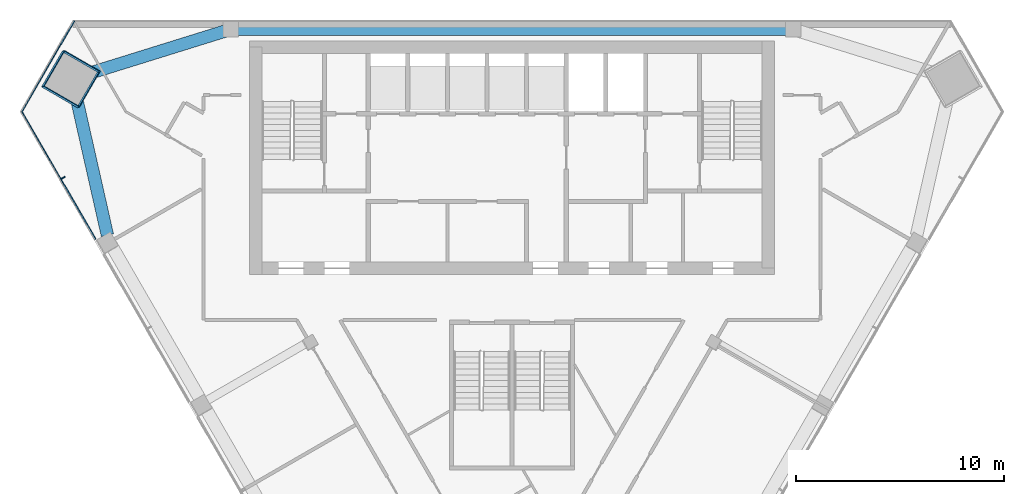
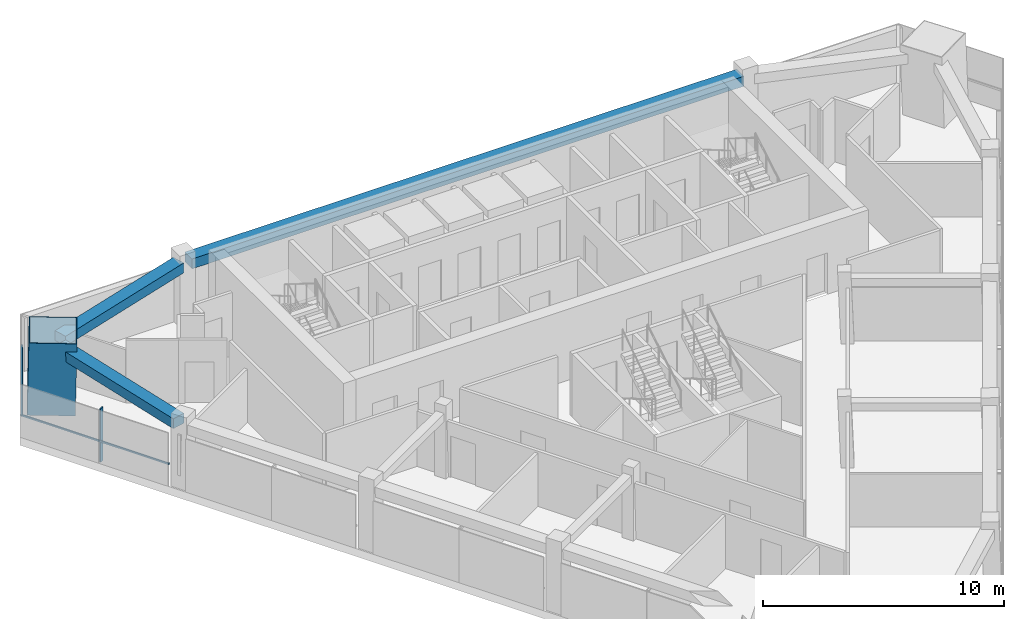
# One storey, part 5 of 12: 4 members, 3 beams, 2 elements without a shape of their own.
"""IFC4 building model written with IfcOpenShell, lengths in metres."""

from ifc_helpers import new_model, si_unit, direction, frame, origin, origin_2d, place, context, subcontext, project, spatial, rectangle, hollow_rectangle, extrude, material, layer, layer_set, material_profile, profile_set, type_object, element, aggregate, save


model = new_model("IFC4")

# Units and contexts
model_context = context("Model", 3, precision=1e-05, world=origin(), true_north=direction((0.0, 1.0)))
body_context = subcontext(model_context, "Body", "Model", "MODEL_VIEW")
ifc_project = project(units=[si_unit("LENGTHUNIT", "METRE"), si_unit("AREAUNIT", "SQUARE_METRE"), si_unit("VOLUMEUNIT", "CUBIC_METRE"), si_unit("PLANEANGLEUNIT", "RADIAN"), si_unit("MASSUNIT", "GRAM", prefix="KILO")], contexts=[model_context])

# Site, building, storey
site_placement = place(None, origin())
site = spatial("IfcSite", under=ifc_project, at=site_placement, CompositionType="ELEMENT")
building_placement = place(site_placement, origin())
building = spatial("IfcBuilding", under=site, at=building_placement, Name="Altiplano Prism Tower", CompositionType="ELEMENT")
storey_placement = place(building_placement, frame((0.0, 0.0, 257.199951171875)))
storey = spatial("IfcBuildingStorey", under=building, at=storey_placement, Name="L66", CompositionType="ELEMENT", Elevation=257.199951171875)

# Curtain wall, member
ifc_material_1 = material(Name="Aluminium and glass", Category="aluminium")
ifc_layer = layer(ifc_material_1, 0.303955078125)
ifc_layer_set = layer_set([ifc_layer], Name="Aluminium and glass")
curtain_wall_type = type_object("IfcCurtainWallType", Name="CW2 lounge-band unitised glazing", PredefinedType="NOTDEFINED", material=ifc_layer_set)
curtain_wall_1_placement = place(storey_placement, origin())
curtain_wall_1 = element("IfcCurtainWall", 1, at=curtain_wall_1_placement, inside=storey, type_object=curtain_wall_type, Name="CW2 curtain wall south-west face L66", PredefinedType="NOTDEFINED")
ifc_material_2 = material(Name="Aluminium", Category="aluminium")
ifc_material_profile_1 = material_profile(ifc_material_2, rectangle(XDim=0.199951171875, YDim=0.06005859375, at=origin_2d()), Name="CW2 mullion 60 x 200")
ifc_profile_set_1 = profile_set([ifc_material_profile_1], Name="Aluminium")
member_type_1 = type_object("IfcMemberType", Name="CW2 mullion 60 x 200", PredefinedType="MULLION", material=ifc_profile_set_1)
member_1_placement = place(storey_placement, frame((63.4638671875, 97.428466796875, 0.0), z_axis=(0.0, 0.0, 1.0), x_axis=(0.866025401332, 0.500000004247, 0.0)))
member_1 = element("IfcMember", 2, at=member_1_placement, type_object=member_type_1, Name="CW2 mullion", PredefinedType="MULLION", context=body_context, shape_type="SweptSolid", body=[
    extrude(rectangle(XDim=0.199951171875, YDim=0.06005859375, at=origin_2d()), origin(), (0.0, 0.0, 1.0), 2.699951171875),
])

curtain_wall_2_placement = place(storey_placement, origin())
curtain_wall_2 = element("IfcCurtainWall", 3, at=curtain_wall_2_placement, inside=storey, type_object=curtain_wall_type, Name="CW2 curtain wall north-west chamfer L66", PredefinedType="NOTDEFINED")
ifc_material_profile_2 = material_profile(ifc_material_2, rectangle(XDim=0.06005859375, YDim=0.080078125, at=origin_2d()), Name="CW2 transom 80 x 60")
ifc_profile_set_2 = profile_set([ifc_material_profile_2], Name="Aluminium")
member_type_2 = type_object("IfcMemberType", Name="CW2 transom 80 x 60", PredefinedType="USERDEFINED", material=ifc_profile_set_2)
member_2_placement = place(storey_placement, frame((63.9990234375, 104.962890625, 1.10009765625), z_axis=(-0.500006836656, -0.866021456604, 0.0), x_axis=(0.866021456604, -0.500006836656, 0.0)))
member_2 = element("IfcMember", 4, at=member_2_placement, type_object=member_type_2, Name="CW2 transom", ObjectType="TRANSOM", PredefinedType="USERDEFINED", context=body_context, shape_type="SweptSolid", body=[
    extrude(rectangle(XDim=0.06005859375, YDim=0.080078125, at=origin_2d()), origin(), (0.0, 0.0, 1.0), 5.078125),
])
aggregate(curtain_wall_2, [member_2])

# Member
member_3_placement = place(storey_placement, frame((61.4599609375, 100.63916015625, 1.10009765625), z_axis=(0.499986973919, -0.866032924265, 0.0), x_axis=(0.866032924265, 0.499986973919, 0.0)))
member_3 = element("IfcMember", 5, at=member_3_placement, type_object=member_type_2, Name="CW2 transom", ObjectType="TRANSOM", PredefinedType="USERDEFINED", context=body_context, shape_type="SweptSolid", body=[
    extrude(rectangle(XDim=0.06005859375, YDim=0.080078125, at=origin_2d()), origin(), (0.0, 0.0, 1.0), 7.110595703125),
])

aggregate(curtain_wall_1, [member_1, member_3])

# Beams
ifc_material_3 = material(Name="Concrete C60/75", Category="concrete")
ifc_material_profile_3 = material_profile(ifc_material_3, rectangle(XDim=0.60009765625, YDim=0.5, at=origin_2d()), Name="Edge beam 600x500")
ifc_profile_set_3 = profile_set([ifc_material_profile_3], Name="Concrete C60/75")
beam_type = type_object("IfcBeamType", Name="Edge beam 600x500", PredefinedType="SPANDREL", material=ifc_profile_set_3)
beam_placement = place(storey_placement, frame((98.2451171875, 104.550048828125, 2.949951171875), z_axis=(-1.0, 0.0, 0.0), x_axis=(0.0, -1.0, 0.0)))
element("IfcBeam", 6, at=beam_placement, inside=storey, type_object=beam_type, Name="Edge beam P01-P04 L67", PredefinedType="SPANDREL", context=body_context, shape_type="SweptSolid", body=[
    extrude(rectangle(XDim=0.60009765625, YDim=0.5, at=origin_2d()), origin(), (0.0, 0.0, 1.0), 26.490234375),
])
for number, where, z_axis, x_axis, name in (
    (7, (71.239501953125, 104.468994140625, 2.949951171875), (-0.954889916006, -0.296960011296, 0.0), (0.296960011296, -0.954889916006, 0.0), "Edge beam P04-M0 L67"),
    (8, (63.99267578125, 101.745361328125, 2.949951171875), (0.220241214564, -0.975445440508, 0.0), (0.975445440508, 0.220241214564, 0.0), "Edge beam M0-P11 L67"),
):
    element("IfcBeam", number, at=place(storey_placement, frame(where, z_axis=z_axis, x_axis=x_axis)), inside=storey, type_object=beam_type, Name=name, PredefinedType="SPANDREL", context=body_context, shape_type="SweptSolid", body=[
        extrude(rectangle(XDim=0.60009765625, YDim=0.5, at=origin_2d()), origin(), (0.0, 0.0, 1.0), 7.242919921875),
    ])

# Member
ifc_material_4 = material(Name="Steel S460", Category="steel")
ifc_material_profile_4 = material_profile(ifc_material_4, hollow_rectangle(XDim=2.0, YDim=2.0, WallThickness=0.0400390625, at=origin_2d()), Name="Mega column tube 2000")
ifc_profile_set_4 = profile_set([ifc_material_profile_4], Name="Steel S460")
member_type_3 = type_object("IfcMemberType", Name="Mega column tube 2000", PredefinedType="POST", material=ifc_profile_set_4)
member_4_placement = place(storey_placement, frame((63.791259765625, 102.151123046875, 0.0), z_axis=(0.028401814599, 0.009218727412, 0.999554076572), x_axis=(-0.865127412315, 0.50115482208, 0.019960079341)))
element("IfcMember", 9, at=member_4_placement, inside=storey, type_object=member_type_3, Name="Mega column tube M0 L66", PredefinedType="POST", context=body_context, shape_type="SweptSolid", body=[
    extrude(hollow_rectangle(XDim=2.0, YDim=2.0, WallThickness=0.0400390625, at=origin_2d()), origin(), (0.0, 0.0, 1.0), 3.601806640625),
])

save(model, "model.ifc")
